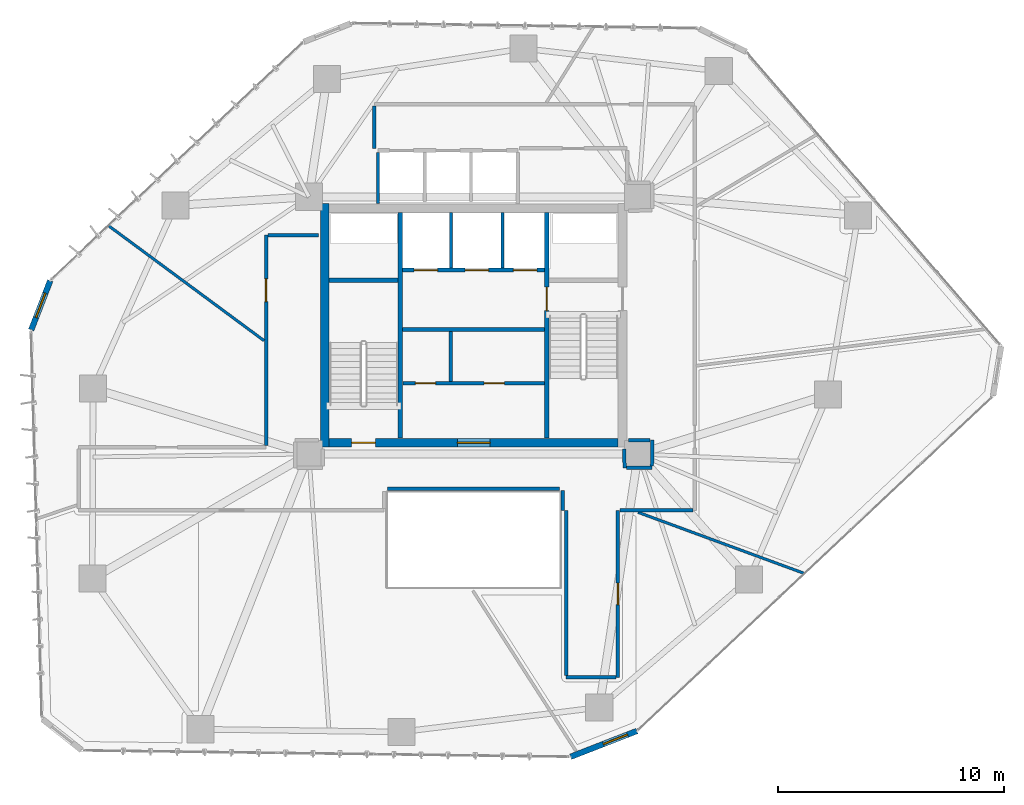
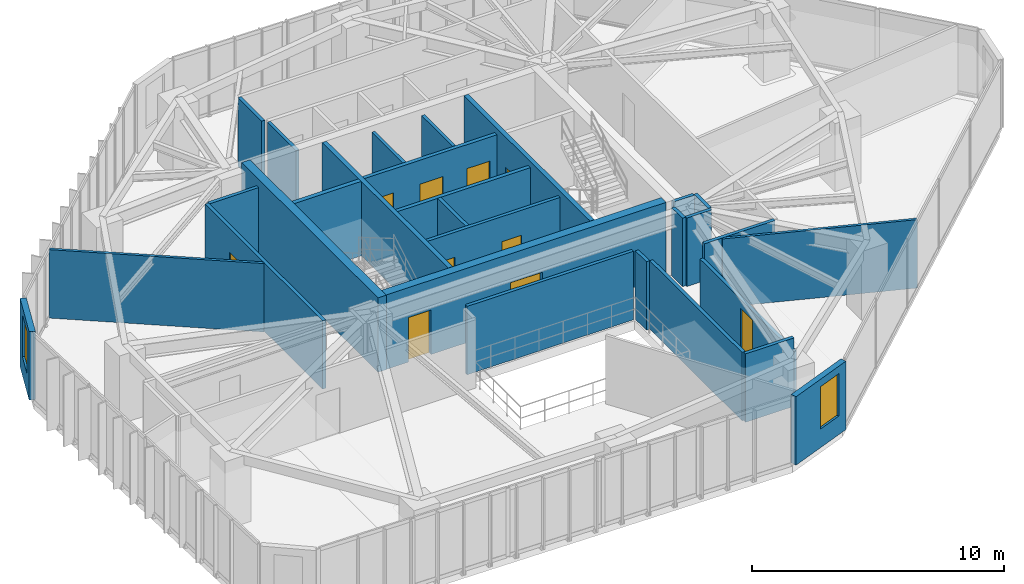
# One storey, part 18 of 22: 29 walls, 10 doors, 2 windows, 12 openings.
"""IFC4 building model written with IfcOpenShell, lengths in metres."""

from ifc_helpers import new_model, si_unit, direction, frame, frame_2d, origin, place, context, subcontext, project, spatial, rectangle, extrude, source, transform, mapped, material, layer, layer_set, type_object, type_shapes, element, fill, save


model = new_model("IFC4")

# Units and contexts
model_context = context("Model", 3, precision=1e-05, world=origin(), true_north=direction((0.0, 1.0)))
body_context = subcontext(model_context, "Body", "Model", "MODEL_VIEW")
ifc_project = project(units=[si_unit("LENGTHUNIT", "METRE"), si_unit("AREAUNIT", "SQUARE_METRE"), si_unit("VOLUMEUNIT", "CUBIC_METRE"), si_unit("PLANEANGLEUNIT", "RADIAN"), si_unit("MASSUNIT", "GRAM", prefix="KILO")], contexts=[model_context])

# Site, building, storey
site_placement = place(None, origin())
site = spatial("IfcSite", under=ifc_project, at=site_placement, CompositionType="ELEMENT")
building_placement = place(site_placement, origin())
building = spatial("IfcBuilding", under=site, at=building_placement, Name="Talar Marvaseh", CompositionType="ELEMENT")
storey_placement = place(building_placement, frame((0.0, 0.0, 89.39990234375)))
storey = spatial("IfcBuildingStorey", under=building, at=storey_placement, Name="L22", CompositionType="ELEMENT", Elevation=89.39990234375)

# Wall, opening, window
ifc_material_1 = material(Name="Precast concrete C45/55", Category="concrete")
ifc_layer_1 = layer(ifc_material_1, 0.2548828125)
ifc_layer_set_1 = layer_set([ifc_layer_1], Name="Precast concrete C45/55")
wall_type_1 = type_object("IfcWallType", Name="Chamfered Hexagonal Corner Pier Wall Z2 255", PredefinedType="SOLIDWALL", material=ifc_layer_set_1)
wall_1_placement = place(storey_placement, frame((6.39208984375, 30.997314453125, 0.0), z_axis=(0.0, 0.0, 1.0), x_axis=(0.36034152918, 0.93282044486, 0.0)))
wall_1 = element("IfcWall", 1, at=wall_1_placement, inside=storey, type_object=wall_type_1, Name="L22 Chamfered Corner Limestone Pier 2", PredefinedType="SOLIDWALL", context=body_context, shape_type="SweptSolid", body=[
    extrude(rectangle(XDim=2.3408203125, YDim=0.2548828125, at=frame_2d((1.17041015625, 0.0))), origin(), (0.0, 0.0, 1.0), 3.31005859375),
])
opening_1_placement = place(wall_1_placement, frame((0.594970703125, 0.0, 0.89990234375)))
opening_1 = element("IfcOpeningElement", 2, at=opening_1_placement, cuts=wall_1, Name="Opening WN-CHM11", PredefinedType="OPENING", context=body_context, shape_type="SweptSolid", body=[
    extrude(rectangle(XDim=1.14990234375, YDim=2.050048828125, at=frame_2d((0.574951171875, 1.02490234375))), frame((0.0, 0.137451171875, 0.0), z_axis=(0.0, -1.0, 0.0), x_axis=(1.0, 0.0, 0.0)), (0.0, 0.0, 1.0), 0.27490234375),
])
ifc_material_2 = material(Name="Laminated Low-E Solar Glass", Category="glass")
window_type = type_object("IfcWindowType", Name="Zone 2 Chamfered Corner Slot Window 1150x2050", PartitioningType="SINGLE_PANEL", PredefinedType="WINDOW", material=ifc_material_2)
shared_shape_1 = source(origin(), body_context, "Body", "SweptSolid", [
    extrude(rectangle(XDim=1.14990234375, YDim=2.050048828125, at=frame_2d((0.574951171875, 1.02490234375))), frame((0.0, 0.030029296875, 0.0), z_axis=(0.0, -1.0, 0.0), x_axis=(1.0, 0.0, 0.0)), (0.0, 0.0, 1.0), 0.06005859375),
])
type_shapes(window_type, [shared_shape_1])
window_1_placement = place(opening_1_placement, origin())
window_1 = element("IfcWindow", 3, at=window_1_placement, inside=storey, type_object=window_type, Name="L22 Chamfered Corner Slot Window", OverallHeight=2.050048828125, OverallWidth=1.14990234375, PartitioningType="SINGLE_PANEL", PredefinedType="WINDOW", context=body_context, shape_type="MappedRepresentation", body=[
    mapped(shared_shape_1, transform((0.0, 0.0, 0.0), x_axis=(1.0, 0.0, 0.0), y_axis=(0.0, 1.0, 0.0), z_axis=(0.0, 0.0, 1.0), scale=1.0)),
])
fill(opening_1, window_1)

wall_2_placement = place(storey_placement, frame((33.244140625, 13.224365234375, 0.0), z_axis=(0.0, 0.0, 1.0), x_axis=(-0.932009027834, -0.36243505906, 0.0)))
wall_2 = element("IfcWall", 4, at=wall_2_placement, inside=storey, type_object=wall_type_1, Name="L22 Chamfered Corner Limestone Pier 6", PredefinedType="SOLIDWALL", context=body_context, shape_type="SweptSolid", body=[
    extrude(rectangle(XDim=3.1552734375, YDim=0.2548828125, at=frame_2d((1.57763671875, 0.0))), origin(), (0.0, 0.0, 1.0), 3.31005859375),
])
opening_2_placement = place(wall_2_placement, frame((0.452880859375, 0.0, 0.89990234375)))
opening_2 = element("IfcOpeningElement", 5, at=opening_2_placement, cuts=wall_2, Name="Opening WN-CHM11", PredefinedType="OPENING", context=body_context, shape_type="SweptSolid", body=[
    extrude(rectangle(XDim=1.14990234375, YDim=2.050048828125, at=frame_2d((0.574951171875, 1.02490234375))), frame((0.0, 0.137451171875, 0.0), z_axis=(0.0, -1.0, 0.0), x_axis=(1.0, 0.0, 0.0)), (0.0, 0.0, 1.0), 0.27490234375),
])
window_2_placement = place(opening_2_placement, origin())
window_2 = element("IfcWindow", 6, at=window_2_placement, inside=storey, type_object=window_type, Name="L22 Chamfered Corner Slot Window", OverallHeight=2.050048828125, OverallWidth=1.14990234375, PartitioningType="SINGLE_PANEL", PredefinedType="WINDOW", context=body_context, shape_type="MappedRepresentation", body=[
    mapped(shared_shape_1, transform((0.0, 0.0, 0.0), x_axis=(1.0, 0.0, 0.0), y_axis=(0.0, 1.0, 0.0), z_axis=(0.0, 0.0, 1.0), scale=1.0)),
])
fill(opening_2, window_2)

# Wall, openings, doors
ifc_material_3 = material(Name="Gypsum Board Partition Assembly")
ifc_layer_2 = layer(ifc_material_3, 0.155029296875)
ifc_layer_set_2 = layer_set([ifc_layer_2], Name="Gypsum Board Partition Assembly")
wall_type_2 = type_object("IfcWallType", Name="Corridor Fire-Rated Acoustic Partition 155", PredefinedType="PARTITIONING", material=ifc_layer_set_2)
wall_3_placement = place(storey_placement, frame((22.865966796875, 28.639892578125, 0.0), z_axis=(0.0, 0.0, 1.0), x_axis=(1.0, 0.0, 0.0)))
wall_3 = element("IfcWall", 7, at=wall_3_placement, inside=storey, type_object=wall_type_2, Name="L22 Core BOH Partition", PredefinedType="PARTITIONING", context=body_context, shape_type="SweptSolid", body=[
    extrude(rectangle(XDim=6.26806640625, YDim=0.155029296875, at=frame_2d((3.134033203125, 0.0))), origin(), (0.0, 0.0, 1.0), 3.31005859375),
])
opening_3_placement = place(wall_3_placement, frame((0.550048828125, 0.0, 0.0)))
opening_3 = element("IfcOpeningElement", 8, at=opening_3_placement, cuts=wall_3, Name="Opening DR-BOH090", PredefinedType="OPENING", context=body_context, shape_type="SweptSolid", body=[
    extrude(rectangle(XDim=0.89990234375, YDim=2.10009765625, at=frame_2d((0.449951171875, 1.050048828125))), frame((0.0, 0.08740234375, 0.0), z_axis=(0.0, -1.0, 0.0), x_axis=(1.0, 0.0, 0.0)), (0.0, 0.0, 1.0), 0.175048828125),
])
opening_4_placement = place(wall_3_placement, frame((3.60009765625, 0.0, 0.0)))
opening_4 = element("IfcOpeningElement", 9, at=opening_4_placement, cuts=wall_3, Name="Opening DR-BOH090", PredefinedType="OPENING", context=body_context, shape_type="SweptSolid", body=[
    extrude(rectangle(XDim=0.89990234375, YDim=2.10009765625, at=frame_2d((0.449951171875, 1.050048828125))), frame((0.0, 0.08740234375, 0.0), z_axis=(0.0, -1.0, 0.0), x_axis=(1.0, 0.0, 0.0)), (0.0, 0.0, 1.0), 0.175048828125),
])
ifc_material_4 = material(Name="Fire-Rated Steel Door Leaf", Category="steel")
door_type_1 = type_object("IfcDoorType", Name="Core Back-of-House Service Door 900x2100", OperationType="NOTDEFINED", PredefinedType="DOOR", material=ifc_material_4)
shared_shape_2 = source(origin(), body_context, "Body", "SweptSolid", [
    extrude(rectangle(XDim=0.89990234375, YDim=2.10009765625, at=frame_2d((0.449951171875, 1.050048828125))), frame((0.0, 0.02490234375, 0.0), z_axis=(0.0, -1.0, 0.0), x_axis=(1.0, 0.0, 0.0)), (0.0, 0.0, 1.0), 0.050048828125),
])
type_shapes(door_type_1, [shared_shape_2])
door_1_placement = place(opening_3_placement, origin())
door_1 = element("IfcDoor", 10, at=door_1_placement, inside=storey, type_object=door_type_1, Name="L22 Cleaner Janitor Store Door", OperationType="SINGLE_SWING_LEFT", OverallHeight=2.10009765625, OverallWidth=0.89990234375, PredefinedType="DOOR", context=body_context, shape_type="MappedRepresentation", body=[
    mapped(shared_shape_2, transform((0.0, 0.0, 0.0), x_axis=(1.0, 0.0, 0.0), y_axis=(0.0, 1.0, 0.0), z_axis=(0.0, 0.0, 1.0), scale=1.0)),
])
fill(opening_3, door_1)
door_2_placement = place(opening_4_placement, origin())
door_2 = element("IfcDoor", 11, at=door_2_placement, inside=storey, type_object=door_type_1, Name="L22 Plant Core Electrical Meter Room Door", OperationType="SINGLE_SWING_RIGHT", OverallHeight=2.10009765625, OverallWidth=0.89990234375, PredefinedType="DOOR", context=body_context, shape_type="MappedRepresentation", body=[
    mapped(shared_shape_2, transform((0.0, 0.0, 0.0), x_axis=(1.0, 0.0, 0.0), y_axis=(0.0, 1.0, 0.0), z_axis=(0.0, 0.0, 1.0), scale=1.0)),
])
fill(opening_4, door_2)

# Wall
wall_4_placement = place(storey_placement, frame((24.97998046875, 28.719970703125, 0.0), z_axis=(0.0, 0.0, 1.0), x_axis=(0.0, 1.0, 0.0)))
element("IfcWall", 12, at=wall_4_placement, inside=storey, type_object=wall_type_2, Name="L22 Core BOH Partition", PredefinedType="PARTITIONING", context=body_context, shape_type="SweptSolid", body=[
    extrude(rectangle(XDim=2.219970703125, YDim=0.155029296875, at=frame_2d((1.10986328125, 0.0))), origin(), (0.0, 0.0, 1.0), 3.31005859375),
])

# Wall, opening, door
wall_5_placement = place(storey_placement, frame((16.800048828125, 25.883544921875, 0.0), z_axis=(0.0, 0.0, 1.0), x_axis=(0.0, 1.0, 0.0)))
wall_5 = element("IfcWall", 13, at=wall_5_placement, inside=storey, type_object=wall_type_2, Name="L22 Interior Partition Wall", PredefinedType="PARTITIONING", context=body_context, shape_type="SweptSolid", body=[
    extrude(rectangle(XDim=9.31640625, YDim=0.155029296875, at=frame_2d((4.658203125, 0.0))), origin(), (0.0, 0.0, 1.0), 3.31005859375),
])
opening_5_placement = place(wall_5_placement, frame((6.374755859375, 0.0, 0.0)))
opening_5 = element("IfcOpeningElement", 14, at=opening_5_placement, cuts=wall_5, Name="Opening DR-RM100", PredefinedType="OPENING", context=body_context, shape_type="SweptSolid", body=[
    extrude(rectangle(XDim=1.0, YDim=2.14990234375, at=frame_2d((0.5, 1.074951171875))), frame((0.0, 0.08740234375, 0.0), z_axis=(0.0, -1.0, 0.0), x_axis=(1.0, 0.0, 0.0)), (0.0, 0.0, 1.0), 0.175048828125),
])
ifc_material_5 = material(Name="Acoustic Engineered Oak Timber", Category="wood")
door_type_2 = type_object("IfcDoorType", Name="Corridor Fire-Rated Gallery Door 1000x2150", OperationType="NOTDEFINED", PredefinedType="DOOR", material=ifc_material_5)
shared_shape_3 = source(origin(), body_context, "Body", "SweptSolid", [
    extrude(rectangle(XDim=1.0, YDim=2.14990234375, at=frame_2d((0.5, 1.074951171875))), frame((0.0, 0.02490234375, 0.0), z_axis=(0.0, -1.0, 0.0), x_axis=(1.0, 0.0, 0.0)), (0.0, 0.0, 1.0), 0.050048828125),
])
type_shapes(door_type_2, [shared_shape_3])
door_3_placement = place(opening_5_placement, origin())
door_3 = element("IfcDoor", 15, at=door_3_placement, inside=storey, type_object=door_type_2, Name="L22 Chamber Recital Salon Door", OperationType="SINGLE_SWING_LEFT", OverallHeight=2.14990234375, OverallWidth=1.0, PredefinedType="DOOR", context=body_context, shape_type="MappedRepresentation", body=[
    mapped(shared_shape_3, transform((0.0, 0.0, 0.0), x_axis=(1.0, 0.0, 0.0), y_axis=(0.0, 1.0, 0.0), z_axis=(0.0, 0.0, 1.0), scale=1.0)),
])
fill(opening_5, door_3)

wall_6_placement = place(storey_placement, frame((32.39990234375, 23.0, 0.0), z_axis=(0.0, 0.0, 1.0), x_axis=(0.0, -1.0, 0.0)))
wall_6 = element("IfcWall", 16, at=wall_6_placement, inside=storey, type_object=wall_type_2, Name="L22 Interior Partition Wall", PredefinedType="PARTITIONING", context=body_context, shape_type="SweptSolid", body=[
    extrude(rectangle(XDim=7.39990234375, YDim=0.155029296875, at=frame_2d((3.699951171875, 0.0))), origin(), (0.0, 0.0, 1.0), 2.590087890625),
])
opening_6_placement = place(wall_6_placement, frame((3.22509765625, 0.0, 0.0)))
opening_6 = element("IfcOpeningElement", 17, at=opening_6_placement, cuts=wall_6, Name="Opening DR-WC095", PredefinedType="OPENING", context=body_context, shape_type="SweptSolid", body=[
    extrude(rectangle(XDim=0.949951171875, YDim=2.14990234375, at=frame_2d((0.47509765625, 1.074951171875))), frame((0.0, 0.08740234375, 0.0), z_axis=(0.0, -1.0, 0.0), x_axis=(1.0, 0.0, 0.0)), (0.0, 0.0, 1.0), 0.175048828125),
])
door_type_3 = type_object("IfcDoorType", Name="Washroom and Service Room Door 950x2150", OperationType="NOTDEFINED", PredefinedType="DOOR", material=ifc_material_5)
shared_shape_4 = source(origin(), body_context, "Body", "SweptSolid", [
    extrude(rectangle(XDim=0.949951171875, YDim=2.14990234375, at=frame_2d((0.47509765625, 1.074951171875))), frame((0.0, 0.02490234375, 0.0), z_axis=(0.0, -1.0, 0.0), x_axis=(1.0, 0.0, 0.0)), (0.0, 0.0, 1.0), 0.050048828125),
])
type_shapes(door_type_3, [shared_shape_4])
door_4_placement = place(opening_6_placement, origin())
door_4 = element("IfcDoor", 18, at=door_4_placement, inside=storey, type_object=door_type_3, Name="L22 Hospitality Tea Pantry Door", OperationType="SINGLE_SWING_RIGHT", OverallHeight=2.14990234375, OverallWidth=0.949951171875, PredefinedType="DOOR", context=body_context, shape_type="MappedRepresentation", body=[
    mapped(shared_shape_4, transform((0.0, 0.0, 0.0), x_axis=(1.0, 0.0, 0.0), y_axis=(0.0, 1.0, 0.0), z_axis=(0.0, 0.0, 1.0), scale=1.0)),
])
fill(opening_6, door_4)

# Walls
wall_7_placement = place(storey_placement, frame((29.800048828125, 23.9599609375, 0.0), z_axis=(0.0, 0.0, 1.0), x_axis=(-0.999999995375, -9.617234e-05, 0.0)))
element("IfcWall", 19, at=wall_7_placement, inside=storey, type_object=wall_type_2, Name="L22 Interior Partition Wall", PredefinedType="PARTITIONING", context=body_context, shape_type="SweptSolid", body=[
    extrude(rectangle(XDim=7.61572265625, YDim=0.155029296875, at=frame_2d((3.807861328125, 0.0))), origin(), (0.0, 0.0, 1.0), 3.31005859375),
])
wall_8_placement = place(storey_placement, frame((16.883544921875, 35.199951171875, 0.0), z_axis=(0.0, 0.0, 1.0), x_axis=(1.0, 0.0, 0.0)))
element("IfcWall", 20, at=wall_8_placement, inside=storey, type_object=wall_type_2, Name="L22 Interior Partition Wall", PredefinedType="PARTITIONING", context=body_context, shape_type="SweptSolid", body=[
    extrude(rectangle(XDim=2.246337890625, YDim=0.155029296875, at=frame_2d((1.123046875, 0.0))), origin(), (0.0, 0.0, 1.0), 3.31005859375),
])
wall_9_placement = place(storey_placement, frame((32.68505859375, 25.72998046875, 0.0), z_axis=(0.0, 0.0, 1.0), x_axis=(0.006382231486, -0.999979633353, 0.0)))
element("IfcWall", 21, at=wall_9_placement, inside=storey, type_object=wall_type_2, Name="L22 Interior Partition Wall", PredefinedType="PARTITIONING", context=body_context, shape_type="SweptSolid", body=[
    extrude(rectangle(XDim=0.841552734375, YDim=0.155029296875, at=frame_2d((0.4208984375, 0.0))), origin(), (0.0, 0.0, 1.0), 3.31005859375),
])
wall_10_placement = place(storey_placement, frame((32.77392578125, 24.88818359375, 0.0), z_axis=(0.0, 0.0, 1.0), x_axis=(0.999999164303, -0.001292823742, 0.0)))
element("IfcWall", 22, at=wall_10_placement, inside=storey, type_object=wall_type_2, Name="L22 Interior Partition Wall", PredefinedType="PARTITIONING", context=body_context, shape_type="SweptSolid", body=[
    extrude(rectangle(XDim=1.133056640625, YDim=0.155029296875, at=frame_2d((0.56640625, 0.0))), origin(), (0.0, 0.0, 1.0), 3.31005859375),
])
wall_11_placement = place(storey_placement, frame((33.907470703125, 24.97021484375, 0.0), z_axis=(0.0, 0.0, 1.0), x_axis=(0.003642572792, 0.99999336581, 0.0)))
element("IfcWall", 23, at=wall_11_placement, inside=storey, type_object=wall_type_2, Name="L22 Interior Partition Wall", PredefinedType="PARTITIONING", context=body_context, shape_type="SweptSolid", body=[
    extrude(rectangle(XDim=1.139404296875, YDim=0.155029296875, at=frame_2d((0.56982421875, 0.0))), origin(), (0.0, 0.0, 1.0), 3.31005859375),
])
wall_12_placement = place(storey_placement, frame((33.828125, 26.110107421875, 0.0), z_axis=(0.0, 0.0, 1.0), x_axis=(-0.999987011364, 0.005096773758, 0.0)))
element("IfcWall", 24, at=wall_12_placement, inside=storey, type_object=wall_type_2, Name="L22 Interior Partition Wall", PredefinedType="PARTITIONING", context=body_context, shape_type="SweptSolid", body=[
    extrude(rectangle(XDim=0.9580078125, YDim=0.155029296875, at=frame_2d((0.47900390625, 0.0))), origin(), (0.0, 0.0, 1.0), 3.31005859375),
])
wall_13_placement = place(storey_placement, frame((21.60009765625, 39.0400390625, 0.0), z_axis=(0.0, 0.0, 1.0), x_axis=(0.0, 1.0, 0.0)))
element("IfcWall", 25, at=wall_13_placement, inside=storey, type_object=wall_type_2, Name="L22 Interior Partition Wall", PredefinedType="PARTITIONING", context=body_context, shape_type="SweptSolid", body=[
    extrude(rectangle(XDim=1.87646484375, YDim=0.155029296875, at=frame_2d((0.938232421875, 0.0))), origin(), (0.0, 0.0, 1.0), 3.31005859375),
])
wall_14_placement = place(storey_placement, frame((35.716552734375, 23.0, 0.0), z_axis=(0.0, 0.0, 1.0), x_axis=(-1.0, 0.0, 0.0)))
element("IfcWall", 26, at=wall_14_placement, inside=storey, type_object=wall_type_2, Name="L22 Interior Partition Wall", PredefinedType="PARTITIONING", context=body_context, shape_type="SweptSolid", body=[
    extrude(rectangle(XDim=3.233154296875, YDim=0.155029296875, at=frame_2d((1.61669921875, 0.0))), origin(), (0.0, 0.0, 1.0), 3.31005859375),
])
wall_15_placement = place(storey_placement, frame((32.31640625, 15.60009765625, 0.0), z_axis=(0.0, 0.0, 1.0), x_axis=(-1.0, 0.0, 0.0)))
element("IfcWall", 27, at=wall_15_placement, inside=storey, type_object=wall_type_2, Name="L22 Interior Partition Wall", PredefinedType="PARTITIONING", context=body_context, shape_type="SweptSolid", body=[
    extrude(rectangle(XDim=2.21630859375, YDim=0.155029296875, at=frame_2d((1.108154296875, 0.0))), origin(), (0.0, 0.0, 1.0), 3.31005859375),
])
wall_16_placement = place(storey_placement, frame((30.10009765625, 15.68359375, 0.0), z_axis=(0.0, 0.0, 1.0), x_axis=(0.0, 1.0, 0.0)))
element("IfcWall", 28, at=wall_16_placement, inside=storey, type_object=wall_type_2, Name="L22 Interior Partition Wall", PredefinedType="PARTITIONING", context=body_context, shape_type="SweptSolid", body=[
    extrude(rectangle(XDim=7.31640625, YDim=0.155029296875, at=frame_2d((3.658203125, 0.0))), origin(), (0.0, 0.0, 1.0), 3.31005859375),
])
wall_17_placement = place(storey_placement, frame((29.9599609375, 23.0, 0.0), z_axis=(0.0, 0.0, 1.0), x_axis=(-0.021467444279, 0.999769547864, 0.0)))
element("IfcWall", 29, at=wall_17_placement, inside=storey, type_object=wall_type_2, Name="L22 Interior Partition Wall", PredefinedType="PARTITIONING", context=body_context, shape_type="SweptSolid", body=[
    extrude(rectangle(XDim=0.875732421875, YDim=0.155029296875, at=frame_2d((0.43798828125, 0.0))), origin(), (0.0, 0.0, 1.0), 3.31005859375),
])
ifc_layer_3 = layer(ifc_material_3, 0.1201171875)
ifc_layer_set_3 = layer_set([ifc_layer_3], Name="Gypsum Board Partition Assembly")
wall_type_3 = type_object("IfcWallType", Name="Demountable Studio Room Partition 120", PredefinedType="PARTITIONING", material=ifc_layer_set_3)
wall_18_placement = place(storey_placement, frame((33.287109375, 22.91650390625, 0.0), z_axis=(0.0, 0.0, 1.0), x_axis=(0.938603314814, -0.344998286113, 0.0)))
element("IfcWall", 30, at=wall_18_placement, inside=storey, type_object=wall_type_3, Name="L22 Interior Partition Wall", PredefinedType="PARTITIONING", context=body_context, shape_type="SweptSolid", body=[
    extrude(rectangle(XDim=7.841552734375, YDim=0.1201171875, at=frame_2d((3.9208984375, 0.0))), origin(), (0.0, 0.0, 1.0), 3.31005859375),
])
wall_19_placement = place(storey_placement, frame((16.716552734375, 30.521728515625, 0.0), z_axis=(0.0, 0.0, 1.0), x_axis=(-0.804225952521, 0.594323663749, 0.0)))
element("IfcWall", 31, at=wall_19_placement, inside=storey, type_object=wall_type_3, Name="L22 Interior Partition Wall", PredefinedType="PARTITIONING", context=body_context, shape_type="SweptSolid", body=[
    extrude(rectangle(XDim=8.555908203125, YDim=0.1201171875, at=frame_2d((4.27783203125, 0.0))), origin(), (0.0, 0.0, 1.0), 3.31005859375),
])
ifc_layer_4 = layer(ifc_material_1, 0.14501953125)
ifc_layer_set_4 = layer_set([ifc_layer_4], Name="Precast concrete C45/55")
wall_type_4 = type_object("IfcWallType", Name="Fire-Rated Lift Divider Wall 145", PredefinedType="SOLIDWALL", material=ifc_layer_set_4)
for number, where, z_axis, x_axis, name in (
    (32, (25.0, 33.743408203125, 0.0), (0.0, 0.0, 1.0), (0.0, 1.0, 0.0), "L22 FFL-1/FFL-2 Divider"),
    (33, (27.280029296875, 33.743408203125, 0.0), (0.0, 0.0, 1.0), (0.0, 1.0, 0.0), "L22 FFL-2/SVL-1 Divider"),
):
    element("IfcWall", number, at=place(storey_placement, frame(where, z_axis=z_axis, x_axis=x_axis)), inside=storey, type_object=wall_type_4, Name=name, PredefinedType="SOLIDWALL", context=body_context, shape_type="SweptSolid", body=[
        extrude(rectangle(XDim=2.45654296875, YDim=0.14501953125, at=frame_2d((1.228271484375, 0.0))), origin(), (0.0, 0.0, 1.0), 3.31005859375),
    ])
wall_20_placement = place(storey_placement, frame((21.760009765625, 36.60009765625, 0.0), z_axis=(0.0, 0.0, 1.0), x_axis=(0.0, 1.0, 0.0)))
element("IfcWall", 34, at=wall_20_placement, inside=storey, type_object=wall_type_4, Name="L22 Low-Rise Bank West Wall", PredefinedType="SOLIDWALL", context=body_context, shape_type="SweptSolid", body=[
    extrude(rectangle(XDim=2.266357421875, YDim=0.14501953125, at=frame_2d((1.13330078125, 0.0))), origin(), (0.0, 0.0, 1.0), 3.31005859375),
])

# Wall, openings, doors
ifc_layer_5 = layer(ifc_material_1, 0.175048828125)
ifc_layer_set_5 = layer_set([ifc_layer_5], Name="Precast concrete C45/55")
wall_type_5 = type_object("IfcWallType", Name="Fire-Rated Lift Hoistway Enclosure Wall 175", PredefinedType="SOLIDWALL", material=ifc_layer_set_5)
wall_21_placement = place(storey_placement, frame((22.860107421875, 33.64990234375, 0.0), z_axis=(0.0, 0.0, 1.0), x_axis=(1.0, 0.0, 0.0)))
wall_21 = element("IfcWall", 35, at=wall_21_placement, inside=storey, type_object=wall_type_5, Name="L22 Firefighting and Service Lift Front Wall", PredefinedType="SOLIDWALL", context=body_context, shape_type="SweptSolid", body=[
    extrude(rectangle(XDim=6.27978515625, YDim=0.175048828125, at=frame_2d((3.139892578125, 0.0))), origin(), (0.0, 0.0, 1.0), 3.31005859375),
])
opening_7_placement = place(wall_21_placement, frame((0.5, 0.0, 0.0)))
opening_7 = element("IfcOpeningElement", 36, at=opening_7_placement, cuts=wall_21, Name="Opening LD-FF1", PredefinedType="OPENING", context=body_context, shape_type="SweptSolid", body=[
    extrude(rectangle(XDim=1.050048828125, YDim=2.14990234375, at=frame_2d((0.52490234375, 1.074951171875))), frame((0.0, 0.09765625, 0.0), z_axis=(0.0, -1.0, 0.0), x_axis=(1.0, 0.0, 0.0)), (0.0, 0.0, 1.0), 0.195068359375),
])
opening_8_placement = place(wall_21_placement, frame((2.760009765625, 0.0, 0.0)))
opening_8 = element("IfcOpeningElement", 37, at=opening_8_placement, cuts=wall_21, Name="Opening LD-FF2", PredefinedType="OPENING", context=body_context, shape_type="SweptSolid", body=[
    extrude(rectangle(XDim=1.050048828125, YDim=2.14990234375, at=frame_2d((0.52490234375, 1.074951171875))), frame((0.0, 0.09765625, 0.0), z_axis=(0.0, -1.0, 0.0), x_axis=(1.0, 0.0, 0.0)), (0.0, 0.0, 1.0), 0.195068359375),
])
opening_9_placement = place(wall_21_placement, frame((4.89990234375, 0.0, 0.0)))
opening_9 = element("IfcOpeningElement", 38, at=opening_9_placement, cuts=wall_21, Name="Opening LD-SV1", PredefinedType="OPENING", context=body_context, shape_type="SweptSolid", body=[
    extrude(rectangle(XDim=1.050048828125, YDim=2.14990234375, at=frame_2d((0.52490234375, 1.074951171875))), frame((0.0, 0.09765625, 0.0), z_axis=(0.0, -1.0, 0.0), x_axis=(1.0, 0.0, 0.0)), (0.0, 0.0, 1.0), 0.195068359375),
])
ifc_material_6 = material(Name="Stainless Steel Grade 316", Category="steel")
door_type_4 = type_object("IfcDoorType", Name="Automatic Sliding Lift Landing Door 1050x2150", OperationType="NOTDEFINED", PredefinedType="DOOR", material=ifc_material_6)
shared_shape_5 = source(origin(), body_context, "Body", "SweptSolid", [
    extrude(rectangle(XDim=1.050048828125, YDim=2.14990234375, at=frame_2d((0.52490234375, 1.074951171875))), frame((0.0, 0.02490234375, 0.0), z_axis=(0.0, -1.0, 0.0), x_axis=(1.0, 0.0, 0.0)), (0.0, 0.0, 1.0), 0.050048828125),
])
type_shapes(door_type_4, [shared_shape_5])
door_5_placement = place(opening_7_placement, origin())
door_5 = element("IfcDoor", 39, at=door_5_placement, inside=storey, type_object=door_type_4, Name="L22 Lift FFL-1 Sliding Landing Door", OperationType="SLIDING_TO_LEFT", OverallHeight=2.14990234375, OverallWidth=1.050048828125, PredefinedType="DOOR", context=body_context, shape_type="MappedRepresentation", body=[
    mapped(shared_shape_5, transform((0.0, 0.0, 0.0), x_axis=(1.0, 0.0, 0.0), y_axis=(0.0, 1.0, 0.0), z_axis=(0.0, 0.0, 1.0), scale=1.0)),
])
fill(opening_7, door_5)
door_6_placement = place(opening_8_placement, origin())
door_6 = element("IfcDoor", 40, at=door_6_placement, inside=storey, type_object=door_type_4, Name="L22 Lift FFL-2 Sliding Landing Door", OperationType="SLIDING_TO_LEFT", OverallHeight=2.14990234375, OverallWidth=1.050048828125, PredefinedType="DOOR", context=body_context, shape_type="MappedRepresentation", body=[
    mapped(shared_shape_5, transform((0.0, 0.0, 0.0), x_axis=(1.0, 0.0, 0.0), y_axis=(0.0, 1.0, 0.0), z_axis=(0.0, 0.0, 1.0), scale=1.0)),
])
fill(opening_8, door_6)
door_7_placement = place(opening_9_placement, origin())
door_7 = element("IfcDoor", 41, at=door_7_placement, inside=storey, type_object=door_type_4, Name="L22 Lift SVL-1 Sliding Landing Door", OperationType="SLIDING_TO_LEFT", OverallHeight=2.14990234375, OverallWidth=1.050048828125, PredefinedType="DOOR", context=body_context, shape_type="MappedRepresentation", body=[
    mapped(shared_shape_5, transform((0.0, 0.0, 0.0), x_axis=(1.0, 0.0, 0.0), y_axis=(0.0, 1.0, 0.0), z_axis=(0.0, 0.0, 1.0), scale=1.0)),
])
fill(opening_9, door_7)

# Walls
wall_22_placement = place(storey_placement, frame((22.860107421875, 31.02001953125, 0.0), z_axis=(0.0, 0.0, 1.0), x_axis=(1.0, 0.0, 0.0)))
element("IfcWall", 42, at=wall_22_placement, inside=storey, type_object=wall_type_5, Name="L22 Firefighting Lobby South Smoke Wall", PredefinedType="SOLIDWALL", context=body_context, shape_type="SweptSolid", body=[
    extrude(rectangle(XDim=6.27978515625, YDim=0.175048828125, at=frame_2d((3.139892578125, 0.0))), origin(), (0.0, 0.0, 1.0), 3.31005859375),
])
ifc_material_7 = material(Name="Concrete C60/75", Category="concrete")
ifc_layer_6 = layer(ifc_material_7, 0.3798828125)
ifc_layer_set_6 = layer_set([ifc_layer_6], Name="Concrete C60/75")
wall_type_6 = type_object("IfcWallType", Name="Mid Core Reinforced Concrete Shear Wall 380", PredefinedType="SHEAR", material=ifc_layer_set_6)
wall_23_placement = place(storey_placement, frame((19.39990234375, 25.800048828125, 0.0), z_axis=(0.0, 0.0, 1.0), x_axis=(0.0, 1.0, 0.0)))
element("IfcWall", 43, at=wall_23_placement, inside=storey, type_object=wall_type_6, Name="L22 West Core Shear Wall", PredefinedType="SHEAR", context=body_context, shape_type="SweptSolid", body=[
    extrude(rectangle(XDim=10.800048828125, YDim=0.3798828125, at=frame_2d((5.39990234375, 0.0))), origin(), (0.0, 0.0, 1.0), 3.60009765625),
])

# Wall, openings, doors
wall_24_placement = place(storey_placement, frame((32.39990234375, 26.0, 0.0), z_axis=(0.0, 0.0, 1.0), x_axis=(-1.0, 0.0, 0.0)))
wall_24 = element("IfcWall", 44, at=wall_24_placement, inside=storey, type_object=wall_type_6, Name="L22 South Core Shear Wall", PredefinedType="SHEAR", context=body_context, shape_type="SweptSolid", body=[
    extrude(rectangle(XDim=12.7998046875, YDim=0.3798828125, at=frame_2d((6.39990234375, 0.0))), origin(), (0.0, 0.0, 1.0), 3.60009765625),
])
opening_10_placement = place(wall_24_placement, frame((10.75, 0.0, 0.0)))
opening_10 = element("IfcOpeningElement", 45, at=opening_10_placement, cuts=wall_24, Name="Opening DR-ST105", PredefinedType="OPENING", context=body_context, shape_type="SweptSolid", body=[
    extrude(rectangle(XDim=1.050048828125, YDim=2.14990234375, at=frame_2d((0.52490234375, 1.074951171875))), frame((0.0, 0.199951171875, 0.0), z_axis=(0.0, -1.0, 0.0), x_axis=(1.0, 0.0, 0.0)), (0.0, 0.0, 1.0), 0.39990234375),
])
opening_11_placement = place(wall_24_placement, frame((5.669921875, 0.0, 0.0)))
opening_11 = element("IfcOpeningElement", 46, at=opening_11_placement, cuts=wall_24, Name="Opening DR-LBY145", PredefinedType="OPENING", context=body_context, shape_type="SweptSolid", body=[
    extrude(rectangle(XDim=1.449951171875, YDim=2.199951171875, at=frame_2d((0.72509765625, 1.10009765625))), frame((0.0, 0.199951171875, 0.0), z_axis=(0.0, -1.0, 0.0), x_axis=(1.0, 0.0, 0.0)), (0.0, 0.0, 1.0), 0.39990234375),
])
door_type_5 = type_object("IfcDoorType", Name="Protected Exit Stair Fire Door 1050x2150", OperationType="NOTDEFINED", PredefinedType="DOOR", material=ifc_material_4)
shared_shape_6 = source(origin(), body_context, "Body", "SweptSolid", [
    extrude(rectangle(XDim=1.050048828125, YDim=2.14990234375, at=frame_2d((0.52490234375, 1.074951171875))), frame((0.0, 0.02490234375, 0.0), z_axis=(0.0, -1.0, 0.0), x_axis=(1.0, 0.0, 0.0)), (0.0, 0.0, 1.0), 0.050048828125),
])
type_shapes(door_type_5, [shared_shape_6])
door_8_placement = place(opening_10_placement, origin())
door_8 = element("IfcDoor", 47, at=door_8_placement, inside=storey, type_object=door_type_5, Name="L22 Stair ST-1 Exit Door", OperationType="SINGLE_SWING_RIGHT", OverallHeight=2.14990234375, OverallWidth=1.050048828125, PredefinedType="DOOR", context=body_context, shape_type="MappedRepresentation", body=[
    mapped(shared_shape_6, transform((0.0, 0.0, 0.0), x_axis=(1.0, 0.0, 0.0), y_axis=(0.0, 1.0, 0.0), z_axis=(0.0, 0.0, 1.0), scale=1.0)),
])
fill(opening_10, door_8)
door_type_6 = type_object("IfcDoorType", Name="Core Lift Lobby Double Smoke Door 1450x2200", OperationType="NOTDEFINED", PredefinedType="DOOR", material=ifc_material_4)
shared_shape_7 = source(origin(), body_context, "Body", "SweptSolid", [
    extrude(rectangle(XDim=1.449951171875, YDim=2.199951171875, at=frame_2d((0.72509765625, 1.10009765625))), frame((0.0, 0.02490234375, 0.0), z_axis=(0.0, -1.0, 0.0), x_axis=(1.0, 0.0, 0.0)), (0.0, 0.0, 1.0), 0.050048828125),
])
type_shapes(door_type_6, [shared_shape_7])
door_9_placement = place(opening_11_placement, origin())
door_9 = element("IfcDoor", 48, at=door_9_placement, inside=storey, type_object=door_type_6, Name="L22 Passenger Lift Lobby Entrance Door", OperationType="DOUBLE_DOOR_SINGLE_SWING", OverallHeight=2.199951171875, OverallWidth=1.449951171875, PredefinedType="DOOR", context=body_context, shape_type="MappedRepresentation", body=[
    mapped(shared_shape_7, transform((0.0, 0.0, 0.0), x_axis=(1.0, 0.0, 0.0), y_axis=(0.0, 1.0, 0.0), z_axis=(0.0, 0.0, 1.0), scale=1.0)),
])
fill(opening_11, door_9)

# Wall
ifc_material_8 = material(Name="Concrete C50/60", Category="concrete")
ifc_layer_7 = layer(ifc_material_8, 0.199951171875)
ifc_layer_set_7 = layer_set([ifc_layer_7], Name="Concrete C50/60")
wall_type_7 = type_object("IfcWallType", Name="Stair Shaft Structural Concrete Shear Wall 200", PredefinedType="SHEAR", material=ifc_layer_set_7)
wall_25_placement = place(storey_placement, frame((22.760009765625, 26.199951171875, 0.0), z_axis=(0.0, 0.0, 1.0), x_axis=(0.0, 1.0, 0.0)))
element("IfcWall", 49, at=wall_25_placement, inside=storey, type_object=wall_type_7, Name="L22 Core West Stair Shear Wall", PredefinedType="SHEAR", context=body_context, shape_type="SweptSolid", body=[
    extrude(rectangle(XDim=10.0, YDim=0.199951171875, at=frame_2d((5.0, 0.0))), origin(), (0.0, 0.0, 1.0), 3.60009765625),
])

# Wall, opening, door
wall_26_placement = place(storey_placement, frame((29.239990234375, 26.199951171875, 0.0), z_axis=(0.0, 0.0, 1.0), x_axis=(0.0, 1.0, 0.0)))
wall_26 = element("IfcWall", 50, at=wall_26_placement, inside=storey, type_object=wall_type_7, Name="L22 Core East Stair Shear Wall", PredefinedType="SHEAR", context=body_context, shape_type="SweptSolid", body=[
    extrude(rectangle(XDim=10.0, YDim=0.199951171875, at=frame_2d((5.0, 0.0))), origin(), (0.0, 0.0, 1.0), 3.60009765625),
])
opening_12_placement = place(wall_26_placement, frame((5.64990234375, 0.0, 0.0)))
opening_12 = element("IfcOpeningElement", 51, at=opening_12_placement, cuts=wall_26, Name="Opening DR-ST105", PredefinedType="OPENING", context=body_context, shape_type="SweptSolid", body=[
    extrude(rectangle(XDim=1.050048828125, YDim=2.14990234375, at=frame_2d((0.52490234375, 1.074951171875))), frame((0.0, 0.10986328125, 0.0), z_axis=(0.0, -1.0, 0.0), x_axis=(1.0, 0.0, 0.0)), (0.0, 0.0, 1.0), 0.219970703125),
])
door_10_placement = place(opening_12_placement, origin())
door_10 = element("IfcDoor", 52, at=door_10_placement, inside=storey, type_object=door_type_5, Name="L22 Firefighting Lobby to Stair ST-2 Door", OperationType="SINGLE_SWING_LEFT", OverallHeight=2.14990234375, OverallWidth=1.050048828125, PredefinedType="DOOR", context=body_context, shape_type="MappedRepresentation", body=[
    mapped(shared_shape_6, transform((0.0, 0.0, 0.0), x_axis=(1.0, 0.0, 0.0), y_axis=(0.0, 1.0, 0.0), z_axis=(0.0, 0.0, 1.0), scale=1.0)),
])
fill(opening_12, door_10)

# Wall
wall_27_placement = place(storey_placement, frame((19.60009765625, 33.199951171875, 0.0), z_axis=(0.0, 0.0, 1.0), x_axis=(1.0, 0.0, 0.0)))
element("IfcWall", 53, at=wall_27_placement, inside=storey, type_object=wall_type_7, Name="L22 Stair ST-1 North Shear Wall", PredefinedType="SHEAR", context=body_context, shape_type="SweptSolid", body=[
    extrude(rectangle(XDim=3.059814453125, YDim=0.199951171875, at=frame_2d((1.52978515625, 0.0))), origin(), (0.0, 0.0, 1.0), 3.60009765625),
])

save(model, "model.ifc")
